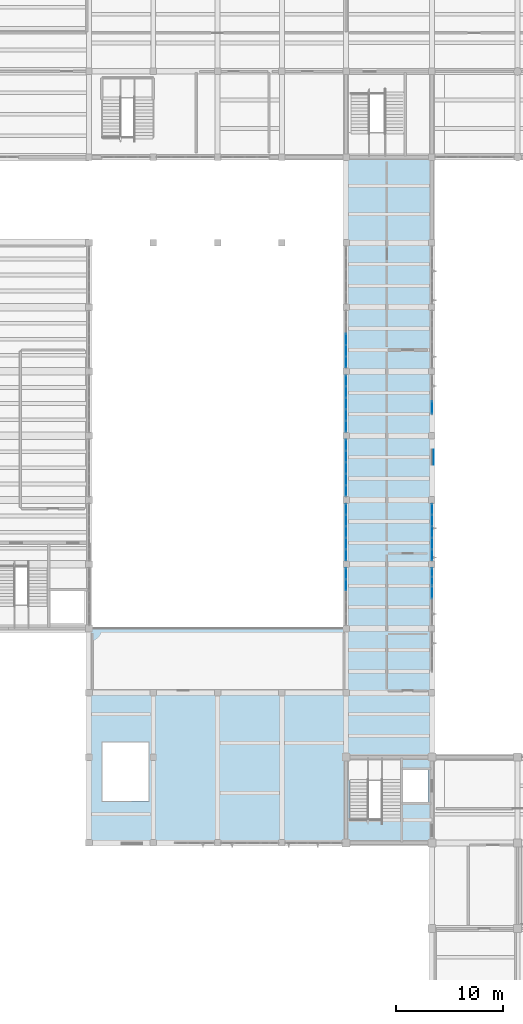
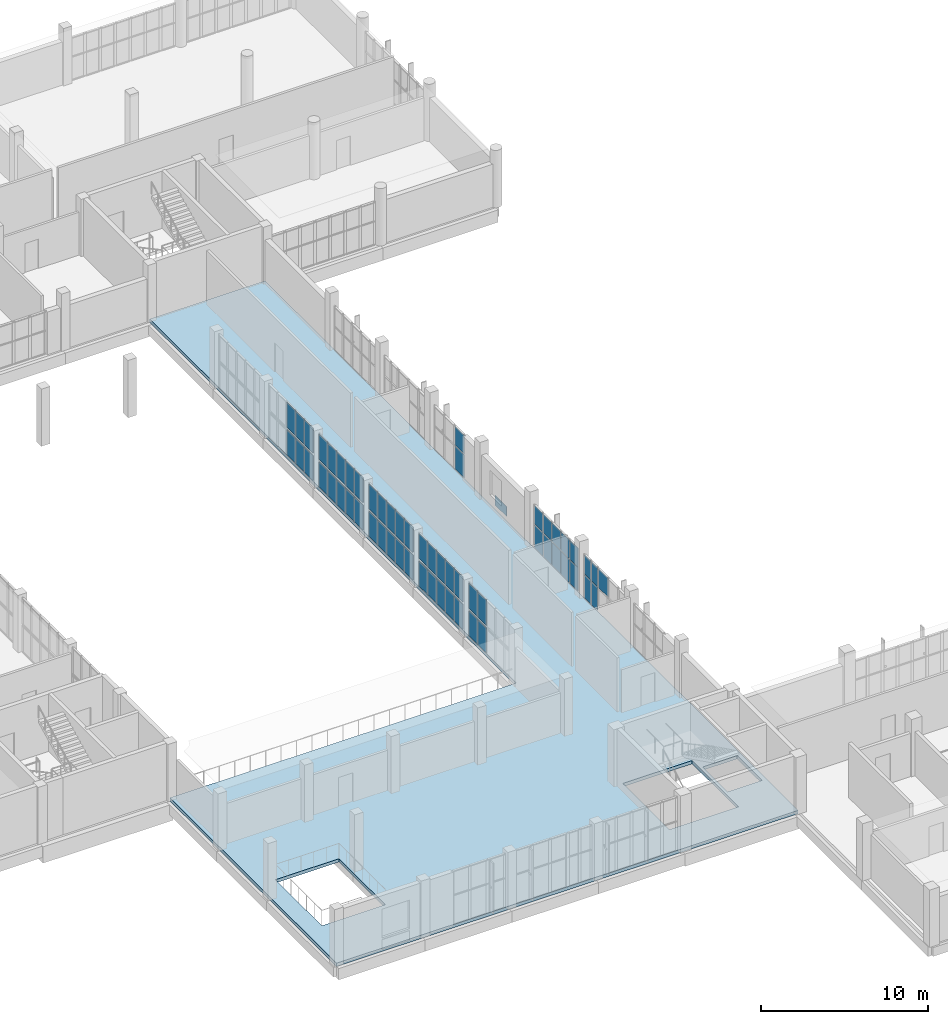
# One storey, part 48 of 85: 58 plates, 1 slab, 14 elements without a shape of their own.
"""IFC4 building model written with IfcOpenShell, lengths in metres."""

from ifc_helpers import new_model, si_unit, direction, frame, origin, origin_2d, place, context, subcontext, project, spatial, polyline, rectangle, outline, extrude, material, layer, layer_set, type_object, element, aggregate, save


model = new_model("IFC4")

# Units and contexts
model_context = context("Model", 3, precision=1e-05, world=origin(), true_north=direction((0.0, 1.0)))
body_context = subcontext(model_context, "Body", "Model", "MODEL_VIEW")
ifc_project = project(units=[si_unit("LENGTHUNIT", "METRE"), si_unit("AREAUNIT", "SQUARE_METRE"), si_unit("VOLUMEUNIT", "CUBIC_METRE"), si_unit("PLANEANGLEUNIT", "RADIAN"), si_unit("MASSUNIT", "GRAM", prefix="KILO")], contexts=[model_context])

# Site, building, storey
site_placement = place(None, origin())
site = spatial("IfcSite", under=ifc_project, at=site_placement, CompositionType="ELEMENT")
building_placement = place(site_placement, origin())
building = spatial("IfcBuilding", under=site, at=building_placement, Name="Solvane Community Centre", CompositionType="ELEMENT")
storey_placement = place(building_placement, frame((0.0, 0.0, 5.39990234375)))
storey = spatial("IfcBuildingStorey", under=building, at=storey_placement, Name="L01", CompositionType="ELEMENT", Elevation=5.39990234375)

# Plate
ifc_material_1 = material(Name="Anodised bronze aluminium AW-6063 T6", Category="aluminium")
ifc_layer_1 = layer(ifc_material_1, 0.02392578125)
ifc_layer_set_1 = layer_set([ifc_layer_1], Name="Anodised bronze aluminium AW-6063 T6")
plate_type_1 = type_object("IfcPlateType", Name="Bronze Spandrel Cassette 24mm", PredefinedType="SHEET", material=ifc_layer_set_1)
plate_1_placement = place(storey_placement, frame((68.18701171875, 58.0, 0.06005859375), z_axis=(0.0, 0.0, 1.0), x_axis=(0.0, -1.0, 0.0)))
element("IfcPlate", 1, at=plate_1_placement, inside=storey, type_object=plate_type_1, Name="Art Deco Spandrel SPC-L01-026", PredefinedType="SHEET", context=body_context, shape_type="SweptSolid", body=[
    extrude(rectangle(XDim=1.39990234375, YDim=0.02392578125, at=origin_2d()), origin(), (0.0, 0.0, 1.0), 0.719970703125),
])

# Curtain wall, plates
ifc_layer_2 = layer(ifc_material_1, 0.18994140625)
ifc_layer_set_2 = layer_set([ifc_layer_2], Name="Anodised bronze aluminium AW-6063 T6")
curtain_wall_type_1 = type_object("IfcCurtainWallType", Name="Boulevard Bronze Vision Curtain Wall [17x32dm]", PredefinedType="NOTDEFINED", material=ifc_layer_set_2)
curtain_wall_1_placement = place(storey_placement, origin())
curtain_wall_1 = element("IfcCurtainWall", 2, at=curtain_wall_1_placement, inside=storey, type_object=curtain_wall_type_1, Name="Curtain Wall CW-L01-680_477-108", PredefinedType="NOTDEFINED")
ifc_material_2 = material(Name="Tempered low-E double glazing", Category="glass")
ifc_layer_3 = layer(ifc_material_2, 0.028076171875)
ifc_layer_set_3 = layer_set([ifc_layer_3], Name="Tempered low-E double glazing")
plate_type_2 = type_object("IfcPlateType", Name="Low-E Vision Glazing Panel 28mm [17x32dm]", PredefinedType="CURTAIN_PANEL", material=ifc_layer_set_3)
plate_2_placement = place(storey_placement, frame((68.0, 47.2451171875, 0.06005859375), z_axis=(0.0, 0.0, 1.0), x_axis=(0.0, -1.0, 0.0)))
plate_2 = element("IfcPlate", 3, at=plate_2_placement, type_object=plate_type_2, Name="CW02-17x32 panel 1.1", PredefinedType="CURTAIN_PANEL", context=body_context, shape_type="SweptSolid", body=[
    extrude(rectangle(XDim=0.75, YDim=0.028076171875, at=origin_2d()), origin(), (0.0, 0.0, 1.0), 1.695068359375),
])
plate_3_placement = place(storey_placement, frame((68.0, 47.2451171875, 1.81494140625), z_axis=(0.0, 0.0, 1.0), x_axis=(0.0, -1.0, 0.0)))
plate_3 = element("IfcPlate", 4, at=plate_3_placement, type_object=plate_type_2, Name="CW02-17x32 panel 1.2", PredefinedType="CURTAIN_PANEL", context=body_context, shape_type="SweptSolid", body=[
    extrude(rectangle(XDim=0.75, YDim=0.028076171875, at=origin_2d()), origin(), (0.0, 0.0, 1.0), 1.3701171875),
])
plate_4_placement = place(storey_placement, frame((68.0, 46.43505859375, 0.06005859375), z_axis=(0.0, 0.0, 1.0), x_axis=(0.0, -1.0, 0.0)))
plate_4 = element("IfcPlate", 5, at=plate_4_placement, type_object=plate_type_2, Name="CW02-17x32 panel 2.1", PredefinedType="CURTAIN_PANEL", context=body_context, shape_type="SweptSolid", body=[
    extrude(rectangle(XDim=0.75, YDim=0.028076171875, at=origin_2d()), origin(), (0.0, 0.0, 1.0), 1.695068359375),
])
plate_5_placement = place(storey_placement, frame((68.0, 46.43505859375, 1.81494140625), z_axis=(0.0, 0.0, 1.0), x_axis=(0.0, -1.0, 0.0)))
plate_5 = element("IfcPlate", 6, at=plate_5_placement, type_object=plate_type_2, Name="CW02-17x32 panel 2.2", PredefinedType="CURTAIN_PANEL", context=body_context, shape_type="SweptSolid", body=[
    extrude(rectangle(XDim=0.75, YDim=0.028076171875, at=origin_2d()), origin(), (0.0, 0.0, 1.0), 1.3701171875),
])
aggregate(curtain_wall_1, [plate_2, plate_3, plate_4, plate_5])

ifc_layer_4 = layer(ifc_material_1, 0.18994140625)
ifc_layer_set_4 = layer_set([ifc_layer_4], Name="Anodised bronze aluminium AW-6063 T6")
curtain_wall_type_2 = type_object("IfcCurtainWallType", Name="Boulevard Bronze Vision Curtain Wall [37x32dm]", PredefinedType="NOTDEFINED", material=ifc_layer_set_4)
curtain_wall_2_placement = place(storey_placement, origin())
curtain_wall_2 = element("IfcCurtainWall", 7, at=curtain_wall_2_placement, inside=storey, type_object=curtain_wall_type_2, Name="Curtain Wall CW-L01-680_657-106", PredefinedType="NOTDEFINED")
ifc_layer_5 = layer(ifc_material_2, 0.028076171875)
ifc_layer_set_5 = layer_set([ifc_layer_5], Name="Tempered low-E double glazing")
plate_type_3 = type_object("IfcPlateType", Name="Low-E Vision Glazing Panel 28mm [37x32dm]", PredefinedType="CURTAIN_PANEL", material=ifc_layer_set_5)
plate_6_placement = place(storey_placement, frame((68.0, 62.62841796875, 0.06005859375), z_axis=(0.0, 0.0, 1.0), x_axis=(0.0, -1.0, 0.0)))
plate_6 = element("IfcPlate", 8, at=plate_6_placement, type_object=plate_type_3, Name="CW02-37x32 panel 3.1", PredefinedType="CURTAIN_PANEL", context=body_context, shape_type="SweptSolid", body=[
    extrude(rectangle(XDim=1.13671875, YDim=0.028076171875, at=origin_2d()), origin(), (0.0, 0.0, 1.0), 1.695068359375),
])
plate_7_placement = place(storey_placement, frame((68.0, 62.62841796875, 1.81494140625), z_axis=(0.0, 0.0, 1.0), x_axis=(0.0, -1.0, 0.0)))
plate_7 = element("IfcPlate", 9, at=plate_7_placement, type_object=plate_type_3, Name="CW02-37x32 panel 3.2", PredefinedType="CURTAIN_PANEL", context=body_context, shape_type="SweptSolid", body=[
    extrude(rectangle(XDim=1.13671875, YDim=0.028076171875, at=origin_2d()), origin(), (0.0, 0.0, 1.0), 1.3701171875),
])
aggregate(curtain_wall_2, [plate_6, plate_7])

# Curtain wall, plate
curtain_wall_3_placement = place(storey_placement, origin())
curtain_wall_3 = element("IfcCurtainWall", 10, at=curtain_wall_3_placement, inside=storey, type_object=curtain_wall_type_2, Name="Curtain Wall CW-L01-680_460-109", PredefinedType="NOTDEFINED")
plate_8_placement = place(storey_placement, frame((68.0, 45.37158203125, 1.81494140625), z_axis=(0.0, 0.0, 1.0), x_axis=(0.0, -1.0, 0.0)))
plate_8 = element("IfcPlate", 11, at=plate_8_placement, type_object=plate_type_3, Name="CW02-37x32 panel 1.2", PredefinedType="CURTAIN_PANEL", context=body_context, shape_type="SweptSolid", body=[
    extrude(rectangle(XDim=1.13671875, YDim=0.028076171875, at=origin_2d()), origin(), (0.0, 0.0, 1.0), 1.3701171875),
])
aggregate(curtain_wall_3, [plate_8])

# Curtain wall, plates
ifc_layer_6 = layer(ifc_material_1, 0.18994140625)
ifc_layer_set_6 = layer_set([ifc_layer_6], Name="Anodised bronze aluminium AW-6063 T6")
curtain_wall_type_3 = type_object("IfcCurtainWallType", Name="Boulevard Bronze Vision Curtain Wall [54x32dm]", PredefinedType="NOTDEFINED", material=ifc_layer_set_6)
curtain_wall_4_placement = place(storey_placement, origin())
curtain_wall_4 = element("IfcCurtainWall", 12, at=curtain_wall_4_placement, inside=storey, type_object=curtain_wall_type_3, Name="Curtain Wall CW-L01-680_537-107", PredefinedType="NOTDEFINED")
ifc_layer_7 = layer(ifc_material_2, 0.028076171875)
ifc_layer_set_7 = layer_set([ifc_layer_7], Name="Tempered low-E double glazing")
plate_type_4 = type_object("IfcPlateType", Name="Low-E Vision Glazing Panel 28mm [54x32dm]", PredefinedType="CURTAIN_PANEL", material=ifc_layer_set_7)
plate_9_placement = place(storey_placement, frame((68.0, 53.12890625, 0.06005859375), z_axis=(0.0, 0.0, 1.0), x_axis=(0.0, -1.0, 0.0)))
plate_9 = element("IfcPlate", 13, at=plate_9_placement, type_object=plate_type_4, Name="CW02-54x32 panel 1.1", PredefinedType="CURTAIN_PANEL", context=body_context, shape_type="SweptSolid", body=[
    extrude(rectangle(XDim=0.98193359375, YDim=0.028076171875, at=origin_2d()), origin(), (0.0, 0.0, 1.0), 1.695068359375),
])
plate_10_placement = place(storey_placement, frame((68.0, 53.12890625, 1.81494140625), z_axis=(0.0, 0.0, 1.0), x_axis=(0.0, -1.0, 0.0)))
plate_10 = element("IfcPlate", 14, at=plate_10_placement, type_object=plate_type_4, Name="CW02-54x32 panel 1.2", PredefinedType="CURTAIN_PANEL", context=body_context, shape_type="SweptSolid", body=[
    extrude(rectangle(XDim=0.98193359375, YDim=0.028076171875, at=origin_2d()), origin(), (0.0, 0.0, 1.0), 1.3701171875),
])
plate_11_placement = place(storey_placement, frame((68.0, 52.072021484375, 0.06005859375), z_axis=(0.0, 0.0, 1.0), x_axis=(0.0, -1.0, 0.0)))
plate_11 = element("IfcPlate", 15, at=plate_11_placement, type_object=plate_type_4, Name="CW02-54x32 panel 2.1", PredefinedType="CURTAIN_PANEL", context=body_context, shape_type="SweptSolid", body=[
    extrude(rectangle(XDim=1.011962890625, YDim=0.028076171875, at=origin_2d()), origin(), (0.0, 0.0, 1.0), 1.695068359375),
])
plate_12_placement = place(storey_placement, frame((68.0, 52.072021484375, 1.81494140625), z_axis=(0.0, 0.0, 1.0), x_axis=(0.0, -1.0, 0.0)))
plate_12 = element("IfcPlate", 16, at=plate_12_placement, type_object=plate_type_4, Name="CW02-54x32 panel 2.2", PredefinedType="CURTAIN_PANEL", context=body_context, shape_type="SweptSolid", body=[
    extrude(rectangle(XDim=1.011962890625, YDim=0.028076171875, at=origin_2d()), origin(), (0.0, 0.0, 1.0), 1.3701171875),
])
plate_13_placement = place(storey_placement, frame((68.0, 51.0, 0.06005859375), z_axis=(0.0, 0.0, 1.0), x_axis=(0.0, -1.0, 0.0)))
plate_13 = element("IfcPlate", 17, at=plate_13_placement, type_object=plate_type_4, Name="CW02-54x32 panel 3.1", PredefinedType="CURTAIN_PANEL", context=body_context, shape_type="SweptSolid", body=[
    extrude(rectangle(XDim=1.011962890625, YDim=0.028076171875, at=origin_2d()), origin(), (0.0, 0.0, 1.0), 1.695068359375),
])
plate_14_placement = place(storey_placement, frame((68.0, 51.0, 1.81494140625), z_axis=(0.0, 0.0, 1.0), x_axis=(0.0, -1.0, 0.0)))
plate_14 = element("IfcPlate", 18, at=plate_14_placement, type_object=plate_type_4, Name="CW02-54x32 panel 3.2", PredefinedType="CURTAIN_PANEL", context=body_context, shape_type="SweptSolid", body=[
    extrude(rectangle(XDim=1.011962890625, YDim=0.028076171875, at=origin_2d()), origin(), (0.0, 0.0, 1.0), 1.3701171875),
])
plate_15_placement = place(storey_placement, frame((68.0, 49.927978515625, 0.06005859375), z_axis=(0.0, 0.0, 1.0), x_axis=(0.0, -1.0, 0.0)))
plate_15 = element("IfcPlate", 19, at=plate_15_placement, type_object=plate_type_4, Name="CW02-54x32 panel 4.1", PredefinedType="CURTAIN_PANEL", context=body_context, shape_type="SweptSolid", body=[
    extrude(rectangle(XDim=1.011962890625, YDim=0.028076171875, at=origin_2d()), origin(), (0.0, 0.0, 1.0), 1.695068359375),
])
plate_16_placement = place(storey_placement, frame((68.0, 49.927978515625, 1.81494140625), z_axis=(0.0, 0.0, 1.0), x_axis=(0.0, -1.0, 0.0)))
plate_16 = element("IfcPlate", 20, at=plate_16_placement, type_object=plate_type_4, Name="CW02-54x32 panel 4.2", PredefinedType="CURTAIN_PANEL", context=body_context, shape_type="SweptSolid", body=[
    extrude(rectangle(XDim=1.011962890625, YDim=0.028076171875, at=origin_2d()), origin(), (0.0, 0.0, 1.0), 1.3701171875),
])
plate_17_placement = place(storey_placement, frame((68.0, 48.87109375, 0.06005859375), z_axis=(0.0, 0.0, 1.0), x_axis=(0.0, -1.0, 0.0)))
plate_17 = element("IfcPlate", 21, at=plate_17_placement, type_object=plate_type_4, Name="CW02-54x32 panel 5.1", PredefinedType="CURTAIN_PANEL", context=body_context, shape_type="SweptSolid", body=[
    extrude(rectangle(XDim=0.98193359375, YDim=0.028076171875, at=origin_2d()), origin(), (0.0, 0.0, 1.0), 1.695068359375),
])
plate_18_placement = place(storey_placement, frame((68.0, 48.87109375, 1.81494140625), z_axis=(0.0, 0.0, 1.0), x_axis=(0.0, -1.0, 0.0)))
plate_18 = element("IfcPlate", 22, at=plate_18_placement, type_object=plate_type_4, Name="CW02-54x32 panel 5.2", PredefinedType="CURTAIN_PANEL", context=body_context, shape_type="SweptSolid", body=[
    extrude(rectangle(XDim=0.98193359375, YDim=0.028076171875, at=origin_2d()), origin(), (0.0, 0.0, 1.0), 1.3701171875),
])
aggregate(curtain_wall_4, [plate_9, plate_10, plate_11, plate_12, plate_13, plate_14, plate_15, plate_16, plate_17, plate_18])

# Slab
ifc_material_3 = material(Name="Concrete C35/45", Category="concrete")
ifc_layer_8 = layer(ifc_material_3, 0.239990234375)
ifc_layer_set_8 = layer_set([ifc_layer_8], Name="Concrete C35/45")
slab_type = type_object("IfcSlabType", Name="RC Podium Floor Slab 240mm [FP-L01-V1]", PredefinedType="FLOOR", material=ifc_layer_set_8)
slab_placement = place(storey_placement, frame((0.0, 0.0, -0.239990234375)))
element("IfcSlab", 23, at=slab_placement, inside=storey, type_object=slab_type, Name="Floor Slab FP-L01-V1", PredefinedType="FLOOR", context=body_context, shape_type="SweptSolid", body=[
    extrude(outline(polyline([(36.0, 22.0), (68.0, 22.0), (68.0, 86.0), (60.0, 86.0), (60.0, 42.0), (36.0, 42.0), (36.0, 22.0)]), holes=[polyline([(60.300048828125, 24.1201171875), (65.10009765625, 24.1201171875), (65.10009765625, 29.699951171875), (60.300048828125, 29.699951171875), (60.300048828125, 24.1201171875)]), polyline([(65.300048828125, 25.800048828125), (67.699951171875, 25.800048828125), (67.699951171875, 28.800048828125), (65.300048828125, 28.800048828125), (65.300048828125, 25.800048828125)]), polyline([(37.199951171875, 25.840087890625), (41.60009765625, 25.840087890625), (41.60009765625, 31.39990234375), (37.199951171875, 31.39990234375), (37.199951171875, 25.840087890625)])]), origin(), (0.0, 0.0, 1.0), 0.239990234375),
])

# Curtain wall, plates
ifc_layer_9 = layer(ifc_material_1, 0.179931640625)
ifc_layer_set_9 = layer_set([ifc_layer_9], Name="Anodised bronze aluminium AW-6063 T6")
curtain_wall_type_4 = type_object("IfcCurtainWallType", Name="Hall Translucent Upper Curtain Wall [54x19dm]", PredefinedType="NOTDEFINED", material=ifc_layer_set_9)
curtain_wall_5_placement = place(storey_placement, origin())
curtain_wall_5 = element("IfcCurtainWall", 24, at=curtain_wall_5_placement, inside=storey, type_object=curtain_wall_type_4, Name="Curtain Wall CW-L01-600_477-033", PredefinedType="NOTDEFINED")
ifc_material_4 = material(Name="Translucent polycarbonate panel")
ifc_layer_10 = layer(ifc_material_4, 0.028076171875)
ifc_layer_set_10 = layer_set([ifc_layer_10], Name="Translucent polycarbonate panel")
plate_type_5 = type_object("IfcPlateType", Name="Translucent Polycarbonate Panel 28mm [54x19dm]", PredefinedType="CURTAIN_PANEL", material=ifc_layer_set_10)
plate_19_placement = place(storey_placement, frame((60.0, 47.12890625, 0.06005859375), z_axis=(0.0, 0.0, 1.0), x_axis=(0.0, -1.0, 0.0)))
plate_19 = element("IfcPlate", 25, at=plate_19_placement, type_object=plate_type_5, Name="CW01-54x19 panel 1.1", PredefinedType="CURTAIN_PANEL", context=body_context, shape_type="SweptSolid", body=[
    extrude(rectangle(XDim=0.98193359375, YDim=0.028076171875, at=origin_2d()), origin(), (0.0, 0.0, 1.0), 1.830078125),
])
plate_20_placement = place(storey_placement, frame((60.0, 46.072021484375, 0.06005859375), z_axis=(0.0, 0.0, 1.0), x_axis=(0.0, -1.0, 0.0)))
plate_20 = element("IfcPlate", 26, at=plate_20_placement, type_object=plate_type_5, Name="CW01-54x19 panel 2.1", PredefinedType="CURTAIN_PANEL", context=body_context, shape_type="SweptSolid", body=[
    extrude(rectangle(XDim=1.011962890625, YDim=0.028076171875, at=origin_2d()), origin(), (0.0, 0.0, 1.0), 1.830078125),
])
aggregate(curtain_wall_5, [plate_19, plate_20])

curtain_wall_6_placement = place(storey_placement, origin())
curtain_wall_6 = element("IfcCurtainWall", 27, at=curtain_wall_6_placement, inside=storey, type_object=curtain_wall_type_4, Name="Curtain Wall CW-L01-600_537-037", PredefinedType="NOTDEFINED")
plate_21_placement = place(storey_placement, frame((60.0, 53.12890625, 0.06005859375), z_axis=(0.0, 0.0, 1.0), x_axis=(0.0, -1.0, 0.0)))
plate_21 = element("IfcPlate", 28, at=plate_21_placement, type_object=plate_type_5, Name="CW01-54x19 panel 1.1", PredefinedType="CURTAIN_PANEL", context=body_context, shape_type="SweptSolid", body=[
    extrude(rectangle(XDim=0.98193359375, YDim=0.028076171875, at=origin_2d()), origin(), (0.0, 0.0, 1.0), 1.830078125),
])
plate_22_placement = place(storey_placement, frame((60.0, 52.072021484375, 0.06005859375), z_axis=(0.0, 0.0, 1.0), x_axis=(0.0, -1.0, 0.0)))
plate_22 = element("IfcPlate", 29, at=plate_22_placement, type_object=plate_type_5, Name="CW01-54x19 panel 2.1", PredefinedType="CURTAIN_PANEL", context=body_context, shape_type="SweptSolid", body=[
    extrude(rectangle(XDim=1.011962890625, YDim=0.028076171875, at=origin_2d()), origin(), (0.0, 0.0, 1.0), 1.830078125),
])
plate_23_placement = place(storey_placement, frame((60.0, 51.0, 0.06005859375), z_axis=(0.0, 0.0, 1.0), x_axis=(0.0, -1.0, 0.0)))
plate_23 = element("IfcPlate", 30, at=plate_23_placement, type_object=plate_type_5, Name="CW01-54x19 panel 3.1", PredefinedType="CURTAIN_PANEL", context=body_context, shape_type="SweptSolid", body=[
    extrude(rectangle(XDim=1.011962890625, YDim=0.028076171875, at=origin_2d()), origin(), (0.0, 0.0, 1.0), 1.830078125),
])
plate_24_placement = place(storey_placement, frame((60.0, 49.927978515625, 0.06005859375), z_axis=(0.0, 0.0, 1.0), x_axis=(0.0, -1.0, 0.0)))
plate_24 = element("IfcPlate", 31, at=plate_24_placement, type_object=plate_type_5, Name="CW01-54x19 panel 4.1", PredefinedType="CURTAIN_PANEL", context=body_context, shape_type="SweptSolid", body=[
    extrude(rectangle(XDim=1.011962890625, YDim=0.028076171875, at=origin_2d()), origin(), (0.0, 0.0, 1.0), 1.830078125),
])
plate_25_placement = place(storey_placement, frame((60.0, 48.87109375, 0.06005859375), z_axis=(0.0, 0.0, 1.0), x_axis=(0.0, -1.0, 0.0)))
plate_25 = element("IfcPlate", 32, at=plate_25_placement, type_object=plate_type_5, Name="CW01-54x19 panel 5.1", PredefinedType="CURTAIN_PANEL", context=body_context, shape_type="SweptSolid", body=[
    extrude(rectangle(XDim=0.98193359375, YDim=0.028076171875, at=origin_2d()), origin(), (0.0, 0.0, 1.0), 1.830078125),
])
aggregate(curtain_wall_6, [plate_21, plate_22, plate_23, plate_24, plate_25])

curtain_wall_7_placement = place(storey_placement, origin())
curtain_wall_7 = element("IfcCurtainWall", 33, at=curtain_wall_7_placement, inside=storey, type_object=curtain_wall_type_4, Name="Curtain Wall CW-L01-600_597-045", PredefinedType="NOTDEFINED")
plate_26_placement = place(storey_placement, frame((60.0, 59.12890625, 0.06005859375), z_axis=(0.0, 0.0, 1.0), x_axis=(0.0, -1.0, 0.0)))
plate_26 = element("IfcPlate", 34, at=plate_26_placement, type_object=plate_type_5, Name="CW01-54x19 panel 1.1", PredefinedType="CURTAIN_PANEL", context=body_context, shape_type="SweptSolid", body=[
    extrude(rectangle(XDim=0.98193359375, YDim=0.028076171875, at=origin_2d()), origin(), (0.0, 0.0, 1.0), 1.830078125),
])
plate_27_placement = place(storey_placement, frame((60.0, 58.072021484375, 0.06005859375), z_axis=(0.0, 0.0, 1.0), x_axis=(0.0, -1.0, 0.0)))
plate_27 = element("IfcPlate", 35, at=plate_27_placement, type_object=plate_type_5, Name="CW01-54x19 panel 2.1", PredefinedType="CURTAIN_PANEL", context=body_context, shape_type="SweptSolid", body=[
    extrude(rectangle(XDim=1.011962890625, YDim=0.028076171875, at=origin_2d()), origin(), (0.0, 0.0, 1.0), 1.830078125),
])
plate_28_placement = place(storey_placement, frame((60.0, 57.0, 0.06005859375), z_axis=(0.0, 0.0, 1.0), x_axis=(0.0, -1.0, 0.0)))
plate_28 = element("IfcPlate", 36, at=plate_28_placement, type_object=plate_type_5, Name="CW01-54x19 panel 3.1", PredefinedType="CURTAIN_PANEL", context=body_context, shape_type="SweptSolid", body=[
    extrude(rectangle(XDim=1.011962890625, YDim=0.028076171875, at=origin_2d()), origin(), (0.0, 0.0, 1.0), 1.830078125),
])
plate_29_placement = place(storey_placement, frame((60.0, 55.927978515625, 0.06005859375), z_axis=(0.0, 0.0, 1.0), x_axis=(0.0, -1.0, 0.0)))
plate_29 = element("IfcPlate", 37, at=plate_29_placement, type_object=plate_type_5, Name="CW01-54x19 panel 4.1", PredefinedType="CURTAIN_PANEL", context=body_context, shape_type="SweptSolid", body=[
    extrude(rectangle(XDim=1.011962890625, YDim=0.028076171875, at=origin_2d()), origin(), (0.0, 0.0, 1.0), 1.830078125),
])
plate_30_placement = place(storey_placement, frame((60.0, 54.87109375, 0.06005859375), z_axis=(0.0, 0.0, 1.0), x_axis=(0.0, -1.0, 0.0)))
plate_30 = element("IfcPlate", 38, at=plate_30_placement, type_object=plate_type_5, Name="CW01-54x19 panel 5.1", PredefinedType="CURTAIN_PANEL", context=body_context, shape_type="SweptSolid", body=[
    extrude(rectangle(XDim=0.98193359375, YDim=0.028076171875, at=origin_2d()), origin(), (0.0, 0.0, 1.0), 1.830078125),
])
aggregate(curtain_wall_7, [plate_26, plate_27, plate_28, plate_29, plate_30])

curtain_wall_8_placement = place(storey_placement, origin())
curtain_wall_8 = element("IfcCurtainWall", 39, at=curtain_wall_8_placement, inside=storey, type_object=curtain_wall_type_4, Name="Curtain Wall CW-L01-600_657-051", PredefinedType="NOTDEFINED")
plate_31_placement = place(storey_placement, frame((60.0, 65.12890625, 0.06005859375), z_axis=(0.0, 0.0, 1.0), x_axis=(0.0, -1.0, 0.0)))
plate_31 = element("IfcPlate", 40, at=plate_31_placement, type_object=plate_type_5, Name="CW01-54x19 panel 1.1", PredefinedType="CURTAIN_PANEL", context=body_context, shape_type="SweptSolid", body=[
    extrude(rectangle(XDim=0.98193359375, YDim=0.028076171875, at=origin_2d()), origin(), (0.0, 0.0, 1.0), 1.830078125),
])
plate_32_placement = place(storey_placement, frame((60.0, 64.072021484375, 0.06005859375), z_axis=(0.0, 0.0, 1.0), x_axis=(0.0, -1.0, 0.0)))
plate_32 = element("IfcPlate", 41, at=plate_32_placement, type_object=plate_type_5, Name="CW01-54x19 panel 2.1", PredefinedType="CURTAIN_PANEL", context=body_context, shape_type="SweptSolid", body=[
    extrude(rectangle(XDim=1.011962890625, YDim=0.028076171875, at=origin_2d()), origin(), (0.0, 0.0, 1.0), 1.830078125),
])
plate_33_placement = place(storey_placement, frame((60.0, 63.0, 0.06005859375), z_axis=(0.0, 0.0, 1.0), x_axis=(0.0, -1.0, 0.0)))
plate_33 = element("IfcPlate", 42, at=plate_33_placement, type_object=plate_type_5, Name="CW01-54x19 panel 3.1", PredefinedType="CURTAIN_PANEL", context=body_context, shape_type="SweptSolid", body=[
    extrude(rectangle(XDim=1.011962890625, YDim=0.028076171875, at=origin_2d()), origin(), (0.0, 0.0, 1.0), 1.830078125),
])
plate_34_placement = place(storey_placement, frame((60.0, 61.927978515625, 0.06005859375), z_axis=(0.0, 0.0, 1.0), x_axis=(0.0, -1.0, 0.0)))
plate_34 = element("IfcPlate", 43, at=plate_34_placement, type_object=plate_type_5, Name="CW01-54x19 panel 4.1", PredefinedType="CURTAIN_PANEL", context=body_context, shape_type="SweptSolid", body=[
    extrude(rectangle(XDim=1.011962890625, YDim=0.028076171875, at=origin_2d()), origin(), (0.0, 0.0, 1.0), 1.830078125),
])
plate_35_placement = place(storey_placement, frame((60.0, 60.87109375, 0.06005859375), z_axis=(0.0, 0.0, 1.0), x_axis=(0.0, -1.0, 0.0)))
plate_35 = element("IfcPlate", 44, at=plate_35_placement, type_object=plate_type_5, Name="CW01-54x19 panel 5.1", PredefinedType="CURTAIN_PANEL", context=body_context, shape_type="SweptSolid", body=[
    extrude(rectangle(XDim=0.98193359375, YDim=0.028076171875, at=origin_2d()), origin(), (0.0, 0.0, 1.0), 1.830078125),
])
aggregate(curtain_wall_8, [plate_31, plate_32, plate_33, plate_34, plate_35])

curtain_wall_9_placement = place(storey_placement, origin())
curtain_wall_9 = element("IfcCurtainWall", 45, at=curtain_wall_9_placement, inside=storey, type_object=curtain_wall_type_4, Name="Curtain Wall CW-L01-600_717-059", PredefinedType="NOTDEFINED")
plate_36_placement = place(storey_placement, frame((60.0, 69.0, 0.06005859375), z_axis=(0.0, 0.0, 1.0), x_axis=(0.0, -1.0, 0.0)))
plate_36 = element("IfcPlate", 46, at=plate_36_placement, type_object=plate_type_5, Name="CW01-54x19 panel 3.1", PredefinedType="CURTAIN_PANEL", context=body_context, shape_type="SweptSolid", body=[
    extrude(rectangle(XDim=1.011962890625, YDim=0.028076171875, at=origin_2d()), origin(), (0.0, 0.0, 1.0), 1.830078125),
])
plate_37_placement = place(storey_placement, frame((60.0, 67.927978515625, 0.06005859375), z_axis=(0.0, 0.0, 1.0), x_axis=(0.0, -1.0, 0.0)))
plate_37 = element("IfcPlate", 47, at=plate_37_placement, type_object=plate_type_5, Name="CW01-54x19 panel 4.1", PredefinedType="CURTAIN_PANEL", context=body_context, shape_type="SweptSolid", body=[
    extrude(rectangle(XDim=1.011962890625, YDim=0.028076171875, at=origin_2d()), origin(), (0.0, 0.0, 1.0), 1.830078125),
])
plate_38_placement = place(storey_placement, frame((60.0, 66.87109375, 0.06005859375), z_axis=(0.0, 0.0, 1.0), x_axis=(0.0, -1.0, 0.0)))
plate_38 = element("IfcPlate", 48, at=plate_38_placement, type_object=plate_type_5, Name="CW01-54x19 panel 5.1", PredefinedType="CURTAIN_PANEL", context=body_context, shape_type="SweptSolid", body=[
    extrude(rectangle(XDim=0.98193359375, YDim=0.028076171875, at=origin_2d()), origin(), (0.0, 0.0, 1.0), 1.830078125),
])
aggregate(curtain_wall_9, [plate_36, plate_37, plate_38])

ifc_layer_11 = layer(ifc_material_1, 0.179931640625)
ifc_layer_set_11 = layer_set([ifc_layer_11], Name="Anodised bronze aluminium AW-6063 T6")
curtain_wall_type_5 = type_object("IfcCurtainWallType", Name="Hall Translucent Upper Curtain Wall [54x20dm]", PredefinedType="NOTDEFINED", material=ifc_layer_set_11)
curtain_wall_10_placement = place(storey_placement, origin())
curtain_wall_10 = element("IfcCurtainWall", 49, at=curtain_wall_10_placement, inside=storey, type_object=curtain_wall_type_5, Name="Curtain Wall CW-L01-600_477-034", PredefinedType="NOTDEFINED")
ifc_layer_12 = layer(ifc_material_4, 0.028076171875)
ifc_layer_set_12 = layer_set([ifc_layer_12], Name="Translucent polycarbonate panel")
plate_type_6 = type_object("IfcPlateType", Name="Translucent Polycarbonate Panel 28mm [54x20dm]", PredefinedType="CURTAIN_PANEL", material=ifc_layer_set_12)
plate_39_placement = place(storey_placement, frame((60.0, 47.12890625, 2.080078125), z_axis=(0.0, 0.0, 1.0), x_axis=(0.0, -1.0, 0.0)))
plate_39 = element("IfcPlate", 50, at=plate_39_placement, type_object=plate_type_6, Name="CW01-54x20 panel 1.1", PredefinedType="CURTAIN_PANEL", context=body_context, shape_type="SweptSolid", body=[
    extrude(rectangle(XDim=0.98193359375, YDim=0.028076171875, at=origin_2d()), origin(), (0.0, 0.0, 1.0), 1.840087890625),
])
plate_40_placement = place(storey_placement, frame((60.0, 46.072021484375, 2.080078125), z_axis=(0.0, 0.0, 1.0), x_axis=(0.0, -1.0, 0.0)))
plate_40 = element("IfcPlate", 51, at=plate_40_placement, type_object=plate_type_6, Name="CW01-54x20 panel 2.1", PredefinedType="CURTAIN_PANEL", context=body_context, shape_type="SweptSolid", body=[
    extrude(rectangle(XDim=1.011962890625, YDim=0.028076171875, at=origin_2d()), origin(), (0.0, 0.0, 1.0), 1.840087890625),
])
aggregate(curtain_wall_10, [plate_39, plate_40])

curtain_wall_11_placement = place(storey_placement, origin())
curtain_wall_11 = element("IfcCurtainWall", 52, at=curtain_wall_11_placement, inside=storey, type_object=curtain_wall_type_5, Name="Curtain Wall CW-L01-600_537-038", PredefinedType="NOTDEFINED")
plate_41_placement = place(storey_placement, frame((60.0, 53.12890625, 2.080078125), z_axis=(0.0, 0.0, 1.0), x_axis=(0.0, -1.0, 0.0)))
plate_41 = element("IfcPlate", 53, at=plate_41_placement, type_object=plate_type_6, Name="CW01-54x20 panel 1.1", PredefinedType="CURTAIN_PANEL", context=body_context, shape_type="SweptSolid", body=[
    extrude(rectangle(XDim=0.98193359375, YDim=0.028076171875, at=origin_2d()), origin(), (0.0, 0.0, 1.0), 1.840087890625),
])
plate_42_placement = place(storey_placement, frame((60.0, 52.072021484375, 2.080078125), z_axis=(0.0, 0.0, 1.0), x_axis=(0.0, -1.0, 0.0)))
plate_42 = element("IfcPlate", 54, at=plate_42_placement, type_object=plate_type_6, Name="CW01-54x20 panel 2.1", PredefinedType="CURTAIN_PANEL", context=body_context, shape_type="SweptSolid", body=[
    extrude(rectangle(XDim=1.011962890625, YDim=0.028076171875, at=origin_2d()), origin(), (0.0, 0.0, 1.0), 1.840087890625),
])
plate_43_placement = place(storey_placement, frame((60.0, 51.0, 2.080078125), z_axis=(0.0, 0.0, 1.0), x_axis=(0.0, -1.0, 0.0)))
plate_43 = element("IfcPlate", 55, at=plate_43_placement, type_object=plate_type_6, Name="CW01-54x20 panel 3.1", PredefinedType="CURTAIN_PANEL", context=body_context, shape_type="SweptSolid", body=[
    extrude(rectangle(XDim=1.011962890625, YDim=0.028076171875, at=origin_2d()), origin(), (0.0, 0.0, 1.0), 1.840087890625),
])
plate_44_placement = place(storey_placement, frame((60.0, 49.927978515625, 2.080078125), z_axis=(0.0, 0.0, 1.0), x_axis=(0.0, -1.0, 0.0)))
plate_44 = element("IfcPlate", 56, at=plate_44_placement, type_object=plate_type_6, Name="CW01-54x20 panel 4.1", PredefinedType="CURTAIN_PANEL", context=body_context, shape_type="SweptSolid", body=[
    extrude(rectangle(XDim=1.011962890625, YDim=0.028076171875, at=origin_2d()), origin(), (0.0, 0.0, 1.0), 1.840087890625),
])
plate_45_placement = place(storey_placement, frame((60.0, 48.87109375, 2.080078125), z_axis=(0.0, 0.0, 1.0), x_axis=(0.0, -1.0, 0.0)))
plate_45 = element("IfcPlate", 57, at=plate_45_placement, type_object=plate_type_6, Name="CW01-54x20 panel 5.1", PredefinedType="CURTAIN_PANEL", context=body_context, shape_type="SweptSolid", body=[
    extrude(rectangle(XDim=0.98193359375, YDim=0.028076171875, at=origin_2d()), origin(), (0.0, 0.0, 1.0), 1.840087890625),
])
aggregate(curtain_wall_11, [plate_41, plate_42, plate_43, plate_44, plate_45])

curtain_wall_12_placement = place(storey_placement, origin())
curtain_wall_12 = element("IfcCurtainWall", 58, at=curtain_wall_12_placement, inside=storey, type_object=curtain_wall_type_5, Name="Curtain Wall CW-L01-600_597-046", PredefinedType="NOTDEFINED")
plate_46_placement = place(storey_placement, frame((60.0, 59.12890625, 2.080078125), z_axis=(0.0, 0.0, 1.0), x_axis=(0.0, -1.0, 0.0)))
plate_46 = element("IfcPlate", 59, at=plate_46_placement, type_object=plate_type_6, Name="CW01-54x20 panel 1.1", PredefinedType="CURTAIN_PANEL", context=body_context, shape_type="SweptSolid", body=[
    extrude(rectangle(XDim=0.98193359375, YDim=0.028076171875, at=origin_2d()), origin(), (0.0, 0.0, 1.0), 1.840087890625),
])
plate_47_placement = place(storey_placement, frame((60.0, 58.072021484375, 2.080078125), z_axis=(0.0, 0.0, 1.0), x_axis=(0.0, -1.0, 0.0)))
plate_47 = element("IfcPlate", 60, at=plate_47_placement, type_object=plate_type_6, Name="CW01-54x20 panel 2.1", PredefinedType="CURTAIN_PANEL", context=body_context, shape_type="SweptSolid", body=[
    extrude(rectangle(XDim=1.011962890625, YDim=0.028076171875, at=origin_2d()), origin(), (0.0, 0.0, 1.0), 1.840087890625),
])
plate_48_placement = place(storey_placement, frame((60.0, 57.0, 2.080078125), z_axis=(0.0, 0.0, 1.0), x_axis=(0.0, -1.0, 0.0)))
plate_48 = element("IfcPlate", 61, at=plate_48_placement, type_object=plate_type_6, Name="CW01-54x20 panel 3.1", PredefinedType="CURTAIN_PANEL", context=body_context, shape_type="SweptSolid", body=[
    extrude(rectangle(XDim=1.011962890625, YDim=0.028076171875, at=origin_2d()), origin(), (0.0, 0.0, 1.0), 1.840087890625),
])
plate_49_placement = place(storey_placement, frame((60.0, 55.927978515625, 2.080078125), z_axis=(0.0, 0.0, 1.0), x_axis=(0.0, -1.0, 0.0)))
plate_49 = element("IfcPlate", 62, at=plate_49_placement, type_object=plate_type_6, Name="CW01-54x20 panel 4.1", PredefinedType="CURTAIN_PANEL", context=body_context, shape_type="SweptSolid", body=[
    extrude(rectangle(XDim=1.011962890625, YDim=0.028076171875, at=origin_2d()), origin(), (0.0, 0.0, 1.0), 1.840087890625),
])
plate_50_placement = place(storey_placement, frame((60.0, 54.87109375, 2.080078125), z_axis=(0.0, 0.0, 1.0), x_axis=(0.0, -1.0, 0.0)))
plate_50 = element("IfcPlate", 63, at=plate_50_placement, type_object=plate_type_6, Name="CW01-54x20 panel 5.1", PredefinedType="CURTAIN_PANEL", context=body_context, shape_type="SweptSolid", body=[
    extrude(rectangle(XDim=0.98193359375, YDim=0.028076171875, at=origin_2d()), origin(), (0.0, 0.0, 1.0), 1.840087890625),
])
aggregate(curtain_wall_12, [plate_46, plate_47, plate_48, plate_49, plate_50])

curtain_wall_13_placement = place(storey_placement, origin())
curtain_wall_13 = element("IfcCurtainWall", 64, at=curtain_wall_13_placement, inside=storey, type_object=curtain_wall_type_5, Name="Curtain Wall CW-L01-600_657-052", PredefinedType="NOTDEFINED")
plate_51_placement = place(storey_placement, frame((60.0, 65.12890625, 2.080078125), z_axis=(0.0, 0.0, 1.0), x_axis=(0.0, -1.0, 0.0)))
plate_51 = element("IfcPlate", 65, at=plate_51_placement, type_object=plate_type_6, Name="CW01-54x20 panel 1.1", PredefinedType="CURTAIN_PANEL", context=body_context, shape_type="SweptSolid", body=[
    extrude(rectangle(XDim=0.98193359375, YDim=0.028076171875, at=origin_2d()), origin(), (0.0, 0.0, 1.0), 1.840087890625),
])
plate_52_placement = place(storey_placement, frame((60.0, 64.072021484375, 2.080078125), z_axis=(0.0, 0.0, 1.0), x_axis=(0.0, -1.0, 0.0)))
plate_52 = element("IfcPlate", 66, at=plate_52_placement, type_object=plate_type_6, Name="CW01-54x20 panel 2.1", PredefinedType="CURTAIN_PANEL", context=body_context, shape_type="SweptSolid", body=[
    extrude(rectangle(XDim=1.011962890625, YDim=0.028076171875, at=origin_2d()), origin(), (0.0, 0.0, 1.0), 1.840087890625),
])
plate_53_placement = place(storey_placement, frame((60.0, 63.0, 2.080078125), z_axis=(0.0, 0.0, 1.0), x_axis=(0.0, -1.0, 0.0)))
plate_53 = element("IfcPlate", 67, at=plate_53_placement, type_object=plate_type_6, Name="CW01-54x20 panel 3.1", PredefinedType="CURTAIN_PANEL", context=body_context, shape_type="SweptSolid", body=[
    extrude(rectangle(XDim=1.011962890625, YDim=0.028076171875, at=origin_2d()), origin(), (0.0, 0.0, 1.0), 1.840087890625),
])
plate_54_placement = place(storey_placement, frame((60.0, 61.927978515625, 2.080078125), z_axis=(0.0, 0.0, 1.0), x_axis=(0.0, -1.0, 0.0)))
plate_54 = element("IfcPlate", 68, at=plate_54_placement, type_object=plate_type_6, Name="CW01-54x20 panel 4.1", PredefinedType="CURTAIN_PANEL", context=body_context, shape_type="SweptSolid", body=[
    extrude(rectangle(XDim=1.011962890625, YDim=0.028076171875, at=origin_2d()), origin(), (0.0, 0.0, 1.0), 1.840087890625),
])
plate_55_placement = place(storey_placement, frame((60.0, 60.87109375, 2.080078125), z_axis=(0.0, 0.0, 1.0), x_axis=(0.0, -1.0, 0.0)))
plate_55 = element("IfcPlate", 69, at=plate_55_placement, type_object=plate_type_6, Name="CW01-54x20 panel 5.1", PredefinedType="CURTAIN_PANEL", context=body_context, shape_type="SweptSolid", body=[
    extrude(rectangle(XDim=0.98193359375, YDim=0.028076171875, at=origin_2d()), origin(), (0.0, 0.0, 1.0), 1.840087890625),
])
aggregate(curtain_wall_13, [plate_51, plate_52, plate_53, plate_54, plate_55])

curtain_wall_14_placement = place(storey_placement, origin())
curtain_wall_14 = element("IfcCurtainWall", 70, at=curtain_wall_14_placement, inside=storey, type_object=curtain_wall_type_5, Name="Curtain Wall CW-L01-600_717-060", PredefinedType="NOTDEFINED")
plate_56_placement = place(storey_placement, frame((60.0, 69.0, 2.080078125), z_axis=(0.0, 0.0, 1.0), x_axis=(0.0, -1.0, 0.0)))
plate_56 = element("IfcPlate", 71, at=plate_56_placement, type_object=plate_type_6, Name="CW01-54x20 panel 3.1", PredefinedType="CURTAIN_PANEL", context=body_context, shape_type="SweptSolid", body=[
    extrude(rectangle(XDim=1.011962890625, YDim=0.028076171875, at=origin_2d()), origin(), (0.0, 0.0, 1.0), 1.840087890625),
])
plate_57_placement = place(storey_placement, frame((60.0, 67.927978515625, 2.080078125), z_axis=(0.0, 0.0, 1.0), x_axis=(0.0, -1.0, 0.0)))
plate_57 = element("IfcPlate", 72, at=plate_57_placement, type_object=plate_type_6, Name="CW01-54x20 panel 4.1", PredefinedType="CURTAIN_PANEL", context=body_context, shape_type="SweptSolid", body=[
    extrude(rectangle(XDim=1.011962890625, YDim=0.028076171875, at=origin_2d()), origin(), (0.0, 0.0, 1.0), 1.840087890625),
])
plate_58_placement = place(storey_placement, frame((60.0, 66.87109375, 2.080078125), z_axis=(0.0, 0.0, 1.0), x_axis=(0.0, -1.0, 0.0)))
plate_58 = element("IfcPlate", 73, at=plate_58_placement, type_object=plate_type_6, Name="CW01-54x20 panel 5.1", PredefinedType="CURTAIN_PANEL", context=body_context, shape_type="SweptSolid", body=[
    extrude(rectangle(XDim=0.98193359375, YDim=0.028076171875, at=origin_2d()), origin(), (0.0, 0.0, 1.0), 1.840087890625),
])
aggregate(curtain_wall_14, [plate_56, plate_57, plate_58])

save(model, "model.ifc")
